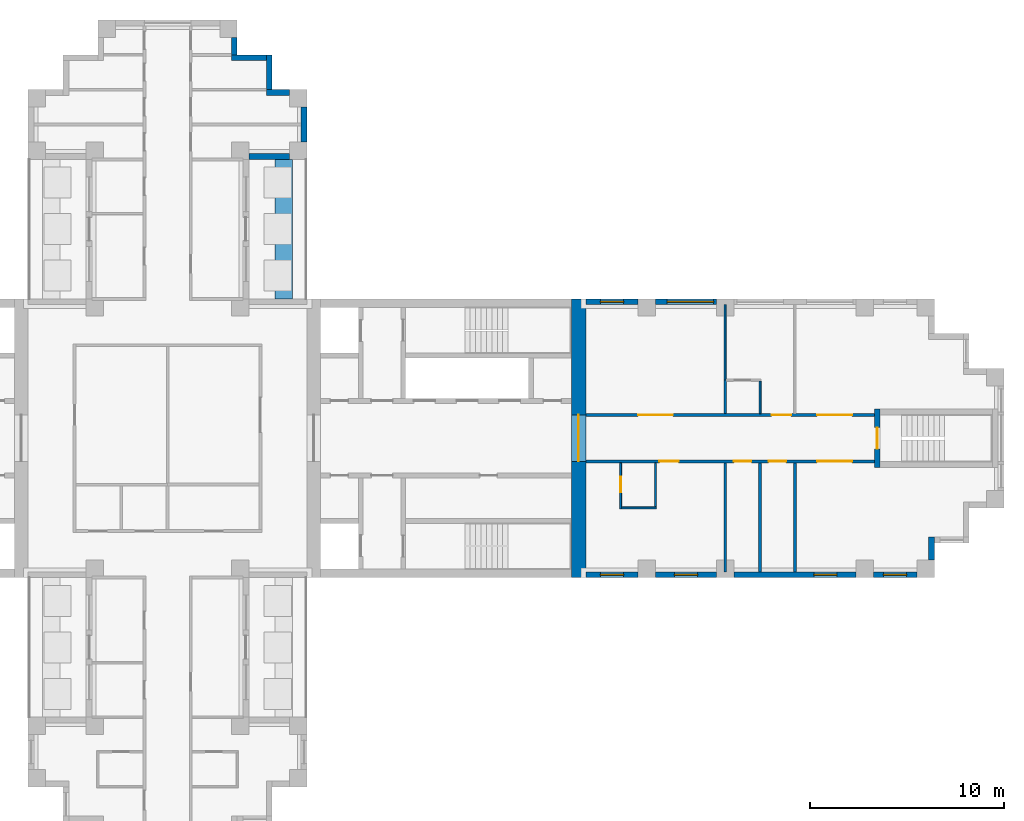
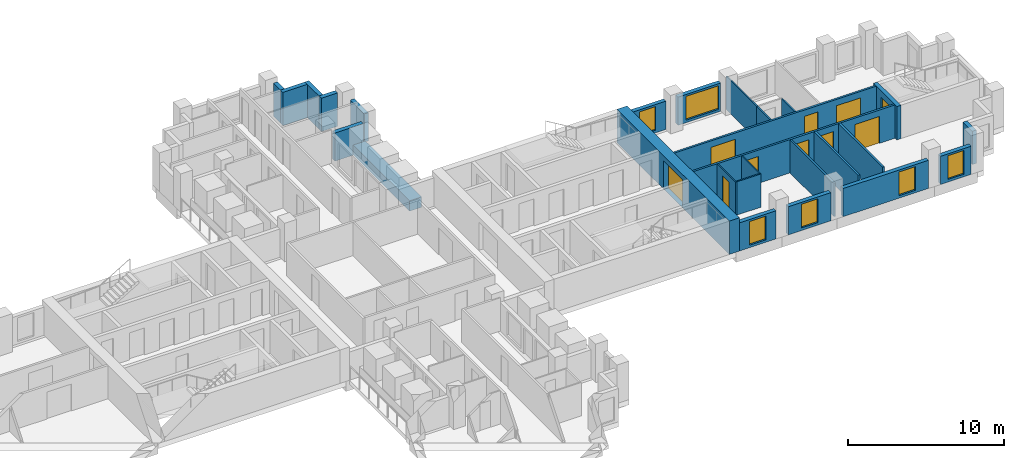
# One storey, part 8 of 12: 27 walls, 10 doors, 6 windows, 16 openings.
"""IFC4 building model written with IfcOpenShell, lengths in metres."""

from ifc_helpers import new_model, si_unit, direction, frame, frame_2d, origin, place, context, subcontext, project, spatial, rectangle, extrude, material, layer, layer_set, type_object, element, fill, save


model = new_model("IFC4")

# Units and contexts
model_context = context("Model", 3, precision=1e-05, world=origin(), true_north=direction((0.0, 1.0)))
body_context = subcontext(model_context, "Body", "Model", "MODEL_VIEW")
ifc_project = project(units=[si_unit("LENGTHUNIT", "METRE"), si_unit("AREAUNIT", "SQUARE_METRE"), si_unit("VOLUMEUNIT", "CUBIC_METRE"), si_unit("PLANEANGLEUNIT", "RADIAN"), si_unit("MASSUNIT", "GRAM", prefix="KILO")], contexts=[model_context])

# Site, building, storey
site_placement = place(None, origin())
site = spatial("IfcSite", under=ifc_project, at=site_placement, CompositionType="ELEMENT")
building_placement = place(site_placement, origin())
building = spatial("IfcBuilding", under=site, at=building_placement, Name="Fustian Cross Tower", CompositionType="ELEMENT")
storey_placement = place(building_placement, frame((0.0, 0.0, 156.300048828125)))
storey = spatial("IfcBuildingStorey", under=building, at=storey_placement, Name="L49", CompositionType="ELEMENT", Elevation=156.300048828125)

# Wall, openings, doors
ifc_material_1 = material(Name="Plasterboard on steel stud", Category="steel")
ifc_layer_1 = layer(ifc_material_1, 0.14990234375)
ifc_layer_set_1 = layer_set([ifc_layer_1], Name="Plasterboard on steel stud")
wall_type_1 = type_object("IfcWallType", Name="COMPARTMENT WALL 150 EI 60", PredefinedType="PARTITIONING", material=ifc_layer_set_1)
wall_1_placement = place(storey_placement, frame((21.60009765625, -1.199951171875, 0.0), z_axis=(0.0, 0.0, 1.0), x_axis=(1.0, 0.0, 0.0)))
wall_1 = element("IfcWall", 1, at=wall_1_placement, inside=storey, type_object=wall_type_1, Name="Partition 45", PredefinedType="PARTITIONING", context=body_context, shape_type="SweptSolid", body=[
    extrude(rectangle(XDim=14.89990234375, YDim=0.14990234375, at=frame_2d((7.449951171875, 0.0))), origin(), (0.0, 0.0, 1.0), 2.599853515625),
])
opening_1_placement = place(wall_1_placement, frame((3.800048828125, 0.0, 0.0)))
opening_1 = element("IfcOpeningElement", 2, at=opening_1_placement, cuts=wall_1, Name="Opening D22011", PredefinedType="OPENING", context=body_context, shape_type="SweptSolid", body=[
    extrude(rectangle(XDim=1.0, YDim=2.10009765625, at=frame_2d((0.5, 1.050048828125))), frame((0.0, 0.0849609375, 0.0), z_axis=(0.0, -1.0, 0.0), x_axis=(1.0, 0.0, 0.0)), (0.0, 0.0, 1.0), 0.169921875),
])
opening_2_placement = place(wall_1_placement, frame((7.64990234375, 0.0, 0.0)))
opening_2 = element("IfcOpeningElement", 3, at=opening_2_placement, cuts=wall_1, Name="Opening D22012", PredefinedType="OPENING", context=body_context, shape_type="SweptSolid", body=[
    extrude(rectangle(XDim=0.89990234375, YDim=2.10009765625, at=frame_2d((0.449951171875, 1.050048828125))), frame((0.0, 0.0849609375, 0.0), z_axis=(0.0, -1.0, 0.0), x_axis=(1.0, 0.0, 0.0)), (0.0, 0.0, 1.0), 0.169921875),
])
opening_3_placement = place(wall_1_placement, frame((9.449951171875, 0.0, 0.0)))
opening_3 = element("IfcOpeningElement", 4, at=opening_3_placement, cuts=wall_1, Name="Opening D22013", PredefinedType="OPENING", context=body_context, shape_type="SweptSolid", body=[
    extrude(rectangle(XDim=0.89990234375, YDim=2.10009765625, at=frame_2d((0.449951171875, 1.050048828125))), frame((0.0, 0.0849609375, 0.0), z_axis=(0.0, -1.0, 0.0), x_axis=(1.0, 0.0, 0.0)), (0.0, 0.0, 1.0), 0.169921875),
])
opening_4_placement = place(wall_1_placement, frame((11.949951171875, 0.0, 0.0)))
opening_4 = element("IfcOpeningElement", 5, at=opening_4_placement, cuts=wall_1, Name="Opening D22014", PredefinedType="OPENING", context=body_context, shape_type="SweptSolid", body=[
    extrude(rectangle(XDim=1.800048828125, YDim=2.10009765625, at=frame_2d((0.89990234375, 1.050048828125))), frame((0.0, 0.0849609375, 0.0), z_axis=(0.0, -1.0, 0.0), x_axis=(1.0, 0.0, 0.0)), (0.0, 0.0, 1.0), 0.169921875),
])
ifc_material_2 = material(Name="Timber fire door set", Category="wood")
door_type_1 = type_object("IfcDoorType", Name="FIRE DOUBLE DOOR 1800 FD30S", OperationType="DOUBLE_DOOR_DOUBLE_SWING", PredefinedType="DOOR", material=ifc_material_2)
door_1_placement = place(opening_4_placement, origin())
door_1 = element("IfcDoor", 6, at=door_1_placement, inside=storey, type_object=door_type_1, Name="Door D22014", OperationType="DOUBLE_DOOR_DOUBLE_SWING", OverallHeight=2.10009765625, OverallWidth=1.800048828125, PredefinedType="DOOR", context=body_context, shape_type="SweptSolid", body=[
    extrude(rectangle(XDim=1.800048828125, YDim=2.10009765625, at=frame_2d((0.89990234375, 1.050048828125))), frame((0.0, 0.02490234375, 0.0), z_axis=(0.0, -1.0, 0.0), x_axis=(1.0, 0.0, 0.0)), (0.0, 0.0, 1.0), 0.050048828125),
])
fill(opening_4, door_1)
ifc_material_3 = material(Name="Timber fire door set", Category="wood")
door_type_2 = type_object("IfcDoorType", Name="FIRE SWING DOOR 1000 FD30S", OperationType="SINGLE_SWING_LEFT", PredefinedType="DOOR", material=ifc_material_3)
door_2_placement = place(opening_1_placement, frame((1.0, 0.0, 0.0), z_axis=(0.0, 0.0, 1.0), x_axis=(-1.0, 0.0, 0.0)))
door_2 = element("IfcDoor", 7, at=door_2_placement, inside=storey, type_object=door_type_2, Name="Door D22011", OperationType="SINGLE_SWING_RIGHT", OverallHeight=2.10009765625, OverallWidth=1.0, PredefinedType="DOOR", context=body_context, shape_type="SweptSolid", body=[
    extrude(rectangle(XDim=1.0, YDim=2.10009765625, at=frame_2d((0.5, 1.050048828125))), frame((0.0, 0.02490234375, 0.0), z_axis=(0.0, -1.0, 0.0), x_axis=(1.0, 0.0, 0.0)), (0.0, 0.0, 1.0), 0.050048828125),
])
fill(opening_1, door_2)
ifc_material_4 = material(Name="Timber fire door set", Category="wood")
door_type_3 = type_object("IfcDoorType", Name="FIRE SWING DOOR 900 FD30S", OperationType="SINGLE_SWING_LEFT", PredefinedType="DOOR", material=ifc_material_4)
door_3_placement = place(opening_2_placement, frame((0.89990234375, 0.0, 0.0), z_axis=(0.0, 0.0, 1.0), x_axis=(-1.0, 0.0, 0.0)))
door_3 = element("IfcDoor", 8, at=door_3_placement, inside=storey, type_object=door_type_3, Name="Door D22012", OperationType="SINGLE_SWING_LEFT", OverallHeight=2.10009765625, OverallWidth=0.89990234375, PredefinedType="DOOR", context=body_context, shape_type="SweptSolid", body=[
    extrude(rectangle(XDim=0.89990234375, YDim=2.10009765625, at=frame_2d((0.449951171875, 1.050048828125))), frame((0.0, 0.02490234375, 0.0), z_axis=(0.0, -1.0, 0.0), x_axis=(1.0, 0.0, 0.0)), (0.0, 0.0, 1.0), 0.050048828125),
])
fill(opening_2, door_3)
door_4_placement = place(opening_3_placement, frame((0.89990234375, 0.0, 0.0), z_axis=(0.0, 0.0, 1.0), x_axis=(-1.0, 0.0, 0.0)))
door_4 = element("IfcDoor", 9, at=door_4_placement, inside=storey, type_object=door_type_3, Name="Door D22013", OperationType="SINGLE_SWING_LEFT", OverallHeight=2.10009765625, OverallWidth=0.89990234375, PredefinedType="DOOR", context=body_context, shape_type="SweptSolid", body=[
    extrude(rectangle(XDim=0.89990234375, YDim=2.10009765625, at=frame_2d((0.449951171875, 1.050048828125))), frame((0.0, 0.02490234375, 0.0), z_axis=(0.0, -1.0, 0.0), x_axis=(1.0, 0.0, 0.0)), (0.0, 0.0, 1.0), 0.050048828125),
])
fill(opening_3, door_4)

wall_2_placement = place(storey_placement, frame((21.60009765625, 1.199951171875, 0.0), z_axis=(0.0, 0.0, 1.0), x_axis=(1.0, 0.0, 0.0)))
wall_2 = element("IfcWall", 10, at=wall_2_placement, inside=storey, type_object=wall_type_1, Name="Partition 46", PredefinedType="PARTITIONING", context=body_context, shape_type="SweptSolid", body=[
    extrude(rectangle(XDim=14.89990234375, YDim=0.14990234375, at=frame_2d((7.449951171875, 0.0))), origin(), (0.0, 0.0, 1.0), 2.599853515625),
])
opening_5_placement = place(wall_2_placement, frame((2.699951171875, 0.0, 0.0)))
opening_5 = element("IfcOpeningElement", 11, at=opening_5_placement, cuts=wall_2, Name="Opening D22006", PredefinedType="OPENING", context=body_context, shape_type="SweptSolid", body=[
    extrude(rectangle(XDim=1.800048828125, YDim=2.10009765625, at=frame_2d((0.89990234375, 1.050048828125))), frame((0.0, 0.0849609375, 0.0), z_axis=(0.0, -1.0, 0.0), x_axis=(1.0, 0.0, 0.0)), (0.0, 0.0, 1.0), 0.169921875),
])
opening_6_placement = place(wall_2_placement, frame((9.60009765625, 0.0, 0.0)))
opening_6 = element("IfcOpeningElement", 12, at=opening_6_placement, cuts=wall_2, Name="Opening D22008", PredefinedType="OPENING", context=body_context, shape_type="SweptSolid", body=[
    extrude(rectangle(XDim=1.0, YDim=2.10009765625, at=frame_2d((0.5, 1.050048828125))), frame((0.0, 0.0849609375, 0.0), z_axis=(0.0, -1.0, 0.0), x_axis=(1.0, 0.0, 0.0)), (0.0, 0.0, 1.0), 0.169921875),
])
opening_7_placement = place(wall_2_placement, frame((11.949951171875, 0.0, 0.0)))
opening_7 = element("IfcOpeningElement", 13, at=opening_7_placement, cuts=wall_2, Name="Opening D22009", PredefinedType="OPENING", context=body_context, shape_type="SweptSolid", body=[
    extrude(rectangle(XDim=1.800048828125, YDim=2.10009765625, at=frame_2d((0.89990234375, 1.050048828125))), frame((0.0, 0.0849609375, 0.0), z_axis=(0.0, -1.0, 0.0), x_axis=(1.0, 0.0, 0.0)), (0.0, 0.0, 1.0), 0.169921875),
])
door_5_placement = place(opening_5_placement, frame((1.800048828125, 0.0, 0.0), z_axis=(0.0, 0.0, 1.0), x_axis=(-1.0, 0.0, 0.0)))
door_5 = element("IfcDoor", 14, at=door_5_placement, inside=storey, type_object=door_type_1, Name="Door D22006", OperationType="DOUBLE_DOOR_DOUBLE_SWING", OverallHeight=2.10009765625, OverallWidth=1.800048828125, PredefinedType="DOOR", context=body_context, shape_type="SweptSolid", body=[
    extrude(rectangle(XDim=1.800048828125, YDim=2.10009765625, at=frame_2d((0.89990234375, 1.050048828125))), frame((0.0, 0.02490234375, 0.0), z_axis=(0.0, -1.0, 0.0), x_axis=(1.0, 0.0, 0.0)), (0.0, 0.0, 1.0), 0.050048828125),
])
fill(opening_5, door_5)
door_6_placement = place(opening_7_placement, frame((1.800048828125, 0.0, 0.0), z_axis=(0.0, 0.0, 1.0), x_axis=(-1.0, 0.0, 0.0)))
door_6 = element("IfcDoor", 15, at=door_6_placement, inside=storey, type_object=door_type_1, Name="Door D22009", OperationType="DOUBLE_DOOR_DOUBLE_SWING", OverallHeight=2.10009765625, OverallWidth=1.800048828125, PredefinedType="DOOR", context=body_context, shape_type="SweptSolid", body=[
    extrude(rectangle(XDim=1.800048828125, YDim=2.10009765625, at=frame_2d((0.89990234375, 1.050048828125))), frame((0.0, 0.02490234375, 0.0), z_axis=(0.0, -1.0, 0.0), x_axis=(1.0, 0.0, 0.0)), (0.0, 0.0, 1.0), 0.050048828125),
])
fill(opening_7, door_6)
door_7_placement = place(opening_6_placement, origin())
door_7 = element("IfcDoor", 16, at=door_7_placement, inside=storey, type_object=door_type_2, Name="Door D22008", OperationType="SINGLE_SWING_RIGHT", OverallHeight=2.10009765625, OverallWidth=1.0, PredefinedType="DOOR", context=body_context, shape_type="SweptSolid", body=[
    extrude(rectangle(XDim=1.0, YDim=2.10009765625, at=frame_2d((0.5, 1.050048828125))), frame((0.0, 0.02490234375, 0.0), z_axis=(0.0, -1.0, 0.0), x_axis=(1.0, 0.0, 0.0)), (0.0, 0.0, 1.0), 0.050048828125),
])
fill(opening_6, door_7)

# Walls
for number, where, z_axis, x_axis, name in (
    (17, (30.60009765625, -6.89990234375, 0.0), (0.0, 0.0, 1.0), (0.0, 1.0, 0.0), "Partition 54"),
    (18, (32.39990234375, -6.89990234375, 0.0), (0.0, 0.0, 1.0), (0.0, 1.0, 0.0), "Partition 56"),
):
    element("IfcWall", number, at=place(storey_placement, frame(where, z_axis=z_axis, x_axis=x_axis)), inside=storey, type_object=wall_type_1, Name=name, PredefinedType="PARTITIONING", context=body_context, shape_type="SweptSolid", body=[
        extrude(rectangle(XDim=5.625, YDim=0.14990234375, at=frame_2d((2.8125, 0.0))), origin(), (0.0, 0.0, 1.0), 2.599853515625),
    ])

# Wall, opening, door
ifc_material_5 = material(Name="Concrete C60/75", Category="concrete")
ifc_layer_2 = layer(ifc_material_5, 0.75)
ifc_layer_set_2 = layer_set([ifc_layer_2], Name="Concrete C60/75")
wall_type_2 = type_object("IfcWallType", Name="CORE END WALL 750 C60/75", PredefinedType="SHEAR", material=ifc_layer_set_2)
wall_3_placement = place(storey_placement, frame((21.22509765625, -7.199951171875, 0.0), z_axis=(0.0, 0.0, 1.0), x_axis=(0.0, 1.0, 0.0)))
wall_3 = element("IfcWall", 19, at=wall_3_placement, inside=storey, type_object=wall_type_2, Name="Core end wall", PredefinedType="SHEAR", context=body_context, shape_type="SweptSolid", body=[
    extrude(rectangle(XDim=14.39990234375, YDim=0.75, at=frame_2d((7.199951171875, 0.0))), origin(), (0.0, 0.0, 1.0), 2.599853515625),
])
opening_8_placement = place(wall_3_placement, frame((6.0, 0.0, 0.0)))
opening_8 = element("IfcOpeningElement", 20, at=opening_8_placement, cuts=wall_3, Name="Opening CD-17-13", PredefinedType="OPENING", context=body_context, shape_type="SweptSolid", body=[
    extrude(rectangle(XDim=2.39990234375, YDim=2.199951171875, at=frame_2d((1.199951171875, 1.10009765625))), frame((0.0, 0.385009765625, 0.0), z_axis=(0.0, -1.0, 0.0), x_axis=(1.0, 0.0, 0.0)), (0.0, 0.0, 1.0), 0.77001953125),
])
ifc_material_6 = material(Name="Steel", Category="steel")
door_type_4 = type_object("IfcDoorType", Name="FIRE DOOR FD30S DOUBLE 2400X2200", OperationType="DOUBLE_DOOR_DOUBLE_SWING", PredefinedType="DOOR", material=ifc_material_6)
door_8_placement = place(opening_8_placement, origin())
door_8 = element("IfcDoor", 21, at=door_8_placement, inside=storey, type_object=door_type_4, Name="Core door CD-17-13", OperationType="DOUBLE_DOOR_DOUBLE_SWING", OverallHeight=2.199951171875, OverallWidth=2.39990234375, PredefinedType="DOOR", context=body_context, shape_type="SweptSolid", body=[
    extrude(rectangle(XDim=2.39990234375, YDim=2.199951171875, at=frame_2d((1.199951171875, 1.10009765625))), frame((0.0, 0.02490234375, 0.0), z_axis=(0.0, -1.0, 0.0), x_axis=(1.0, 0.0, 0.0)), (0.0, 0.0, 1.0), 0.050048828125),
])
fill(opening_8, door_8)

ifc_material_7 = material(Name="Plasterboard on steel stud", Category="steel")
ifc_layer_3 = layer(ifc_material_7, 0.10009765625)
ifc_layer_set_3 = layer_set([ifc_layer_3], Name="Plasterboard on steel stud")
wall_type_3 = type_object("IfcWallType", Name="PARTITION 100 STUD", PredefinedType="PARTITIONING", material=ifc_layer_set_3)
wall_4_placement = place(storey_placement, frame((23.39990234375, -3.64990234375, 0.0), z_axis=(0.0, 0.0, 1.0), x_axis=(0.0, 1.0, 0.0)))
wall_4 = element("IfcWall", 22, at=wall_4_placement, inside=storey, type_object=wall_type_3, Name="Partition 47", PredefinedType="PARTITIONING", context=body_context, shape_type="SweptSolid", body=[
    extrude(rectangle(XDim=2.375, YDim=0.10009765625, at=frame_2d((1.1875, 0.0))), origin(), (0.0, 0.0, 1.0), 2.599853515625),
])
opening_9_placement = place(wall_4_placement, frame((0.85009765625, 0.0, 0.0)))
opening_9 = element("IfcOpeningElement", 23, at=opening_9_placement, cuts=wall_4, Name="Opening D22010", PredefinedType="OPENING", context=body_context, shape_type="SweptSolid", body=[
    extrude(rectangle(XDim=0.800048828125, YDim=2.10009765625, at=frame_2d((0.39990234375, 1.050048828125))), frame((0.0, 0.06005859375, 0.0), z_axis=(0.0, -1.0, 0.0), x_axis=(1.0, 0.0, 0.0)), (0.0, 0.0, 1.0), 0.1201171875),
])
ifc_material_8 = material(Name="Painted timber", Category="wood")
door_type_5 = type_object("IfcDoorType", Name="SWING DOOR 800", OperationType="SINGLE_SWING_LEFT", PredefinedType="DOOR", material=ifc_material_8)
door_9_placement = place(opening_9_placement, frame((0.800048828125, 0.0, 0.0), z_axis=(0.0, 0.0, 1.0), x_axis=(-1.0, 0.0, 0.0)))
door_9 = element("IfcDoor", 24, at=door_9_placement, inside=storey, type_object=door_type_5, Name="Door D22010", OperationType="SINGLE_SWING_RIGHT", OverallHeight=2.10009765625, OverallWidth=0.800048828125, PredefinedType="DOOR", context=body_context, shape_type="SweptSolid", body=[
    extrude(rectangle(XDim=0.800048828125, YDim=2.10009765625, at=frame_2d((0.39990234375, 1.050048828125))), frame((0.0, 0.02490234375, 0.0), z_axis=(0.0, -1.0, 0.0), x_axis=(1.0, 0.0, 0.0)), (0.0, 0.0, 1.0), 0.050048828125),
])
fill(opening_9, door_9)

# Walls
wall_5_placement = place(storey_placement, frame((23.449951171875, -3.60009765625, 0.0), z_axis=(0.0, 0.0, 1.0), x_axis=(1.0, 0.0, 0.0)))
element("IfcWall", 25, at=wall_5_placement, inside=storey, type_object=wall_type_3, Name="Partition 48", PredefinedType="PARTITIONING", context=body_context, shape_type="SweptSolid", body=[
    extrude(rectangle(XDim=1.800048828125, YDim=0.10009765625, at=frame_2d((0.89990234375, 0.0))), origin(), (0.0, 0.0, 1.0), 2.599853515625),
])
wall_6_placement = place(storey_placement, frame((25.199951171875, -3.550048828125, 0.0), z_axis=(0.0, 0.0, 1.0), x_axis=(0.0, 1.0, 0.0)))
element("IfcWall", 26, at=wall_6_placement, inside=storey, type_object=wall_type_3, Name="Partition 49", PredefinedType="PARTITIONING", context=body_context, shape_type="SweptSolid", body=[
    extrude(rectangle(XDim=2.275146484375, YDim=0.10009765625, at=frame_2d((1.1376953125, 0.0))), origin(), (0.0, 0.0, 1.0), 2.599853515625),
])
wall_7_placement = place(storey_placement, frame((28.800048828125, 3.0, 0.0), z_axis=(0.0, 0.0, 1.0), x_axis=(0.0, 1.0, 0.0)))
element("IfcWall", 27, at=wall_7_placement, inside=storey, type_object=wall_type_3, Name="Partition 52", PredefinedType="PARTITIONING", context=body_context, shape_type="SweptSolid", body=[
    extrude(rectangle(XDim=3.89990234375, YDim=0.10009765625, at=frame_2d((1.949951171875, 0.0))), origin(), (0.0, 0.0, 1.0), 2.599853515625),
])
wall_8_placement = place(storey_placement, frame((30.60009765625, 1.27490234375, 0.0), z_axis=(0.0, 0.0, 1.0), x_axis=(0.0, 1.0, 0.0)))
element("IfcWall", 28, at=wall_8_placement, inside=storey, type_object=wall_type_3, Name="Partition 55", PredefinedType="PARTITIONING", context=body_context, shape_type="SweptSolid", body=[
    extrude(rectangle(XDim=1.675048828125, YDim=0.10009765625, at=frame_2d((0.83740234375, 0.0))), origin(), (0.0, 0.0, 1.0), 2.599853515625),
])
ifc_material_9 = material(Name="Concrete C40/50", Category="concrete")
ifc_layer_4 = layer(ifc_material_9, 0.89990234375)
ifc_layer_set_4 = layer_set([ifc_layer_4], Name="Concrete C40/50")
wall_type_4 = type_object("IfcWallType", Name="PK1 PLANTER 900", PredefinedType="PARAPET", material=ifc_layer_set_4)
wall_9_placement = place(storey_placement, frame((6.0, 7.199951171875, 0.0), z_axis=(0.0, 0.0, 1.0), x_axis=(0.0, 1.0, 0.0)))
element("IfcWall", 29, at=wall_9_placement, inside=storey, type_object=wall_type_4, Name="PLANTER", PredefinedType="PARAPET", context=body_context, shape_type="SweptSolid", body=[
    extrude(rectangle(XDim=7.199951171875, YDim=0.89990234375, at=frame_2d((3.60009765625, 0.0))), origin(), (0.0, 0.0, 1.0), 0.800048828125),
])

# Wall, opening, door
ifc_material_10 = material(Name="Concrete C50/60", Category="concrete")
ifc_layer_5 = layer(ifc_material_10, 0.300048828125)
ifc_layer_set_5 = layer_set([ifc_layer_5], Name="Concrete C50/60")
wall_type_5 = type_object("IfcWallType", Name="STAIR ENCLOSURE WALL 300 C50/60", PredefinedType="SHEAR", material=ifc_layer_set_5)
wall_10_placement = place(storey_placement, frame((36.64990234375, -1.5, 0.0), z_axis=(0.0, 0.0, 1.0), x_axis=(0.0, 1.0, 0.0)))
wall_10 = element("IfcWall", 30, at=wall_10_placement, inside=storey, type_object=wall_type_5, Name="Stair enclosure wall", PredefinedType="SHEAR", context=body_context, shape_type="SweptSolid", body=[
    extrude(rectangle(XDim=3.0, YDim=0.300048828125, at=frame_2d((1.5, 0.0))), origin(), (0.0, 0.0, 1.0), 2.599853515625),
])
opening_10_placement = place(wall_10_placement, frame((0.949951171875, 0.0, 0.0)))
opening_10 = element("IfcOpeningElement", 31, at=opening_10_placement, cuts=wall_10, Name="Opening CD-17-31", PredefinedType="OPENING", context=body_context, shape_type="SweptSolid", body=[
    extrude(rectangle(XDim=1.10009765625, YDim=2.10009765625, at=frame_2d((0.550048828125, 1.050048828125))), frame((0.0, 0.159912109375, 0.0), z_axis=(0.0, -1.0, 0.0), x_axis=(1.0, 0.0, 0.0)), (0.0, 0.0, 1.0), 0.320068359375),
])
ifc_material_11 = material(Name="Steel", Category="steel")
door_type_6 = type_object("IfcDoorType", Name="FIRE DOOR FD60S 1100X2100", OperationType="SINGLE_SWING_LEFT", PredefinedType="DOOR", material=ifc_material_11)
door_10_placement = place(opening_10_placement, frame((1.10009765625, 0.0, 0.0), z_axis=(0.0, 0.0, 1.0), x_axis=(-1.0, 0.0, 0.0)))
door_10 = element("IfcDoor", 32, at=door_10_placement, inside=storey, type_object=door_type_6, Name="Core door CD-17-31", OperationType="SINGLE_SWING_RIGHT", OverallHeight=2.10009765625, OverallWidth=1.10009765625, PredefinedType="DOOR", context=body_context, shape_type="SweptSolid", body=[
    extrude(rectangle(XDim=1.10009765625, YDim=2.10009765625, at=frame_2d((0.550048828125, 1.050048828125))), frame((0.0, 0.02490234375, 0.0), z_axis=(0.0, -1.0, 0.0), x_axis=(1.0, 0.0, 0.0)), (0.0, 0.0, 1.0), 0.050048828125),
])
fill(opening_10, door_10)

# Walls
ifc_material_12 = material(Name="Plasterboard on steel stud", Category="steel")
ifc_layer_6 = layer(ifc_material_12, 0.125)
ifc_layer_set_6 = layer_set([ifc_layer_6], Name="Plasterboard on steel stud")
wall_type_6 = type_object("IfcWallType", Name="WET WALL 125 STUD", PredefinedType="PARTITIONING", material=ifc_layer_set_6)
wall_11_placement = place(storey_placement, frame((28.800048828125, -6.89990234375, 0.0), z_axis=(0.0, 0.0, 1.0), x_axis=(0.0, 1.0, 0.0)))
element("IfcWall", 33, at=wall_11_placement, inside=storey, type_object=wall_type_6, Name="Partition 50", PredefinedType="PARTITIONING", context=body_context, shape_type="SweptSolid", body=[
    extrude(rectangle(XDim=5.625, YDim=0.125, at=frame_2d((2.8125, 0.0))), origin(), (0.0, 0.0, 1.0), 2.599853515625),
])
wall_12_placement = place(storey_placement, frame((28.800048828125, 1.27490234375, 0.0), z_axis=(0.0, 0.0, 1.0), x_axis=(0.0, 1.0, 0.0)))
element("IfcWall", 34, at=wall_12_placement, inside=storey, type_object=wall_type_6, Name="Partition 51", PredefinedType="PARTITIONING", context=body_context, shape_type="SweptSolid", body=[
    extrude(rectangle(XDim=1.72509765625, YDim=0.125, at=frame_2d((0.862548828125, 0.0))), origin(), (0.0, 0.0, 1.0), 2.599853515625),
])

# Wall, opening, window
ifc_material_13 = material(Name="Dark aluminium cladding on insulated backing wall", Category="aluminium")
ifc_layer_7 = layer(ifc_material_13, 0.300048828125)
ifc_layer_set_7 = layer_set([ifc_layer_7], Name="Dark aluminium cladding on insulated backing wall")
wall_type_7 = type_object("IfcWallType", Name="XW1 EXTERNAL WALL 300", PredefinedType="SOLIDWALL", material=ifc_layer_set_7)
wall_13_placement = place(storey_placement, frame((21.60009765625, -7.050048828125, 0.0), z_axis=(0.0, 0.0, 1.0), x_axis=(1.0, 0.0, 0.0)))
wall_13 = element("IfcWall", 35, at=wall_13_placement, inside=storey, type_object=wall_type_7, Name="External wall", PredefinedType="SOLIDWALL", context=body_context, shape_type="SweptSolid", body=[
    extrude(rectangle(XDim=2.699951171875, YDim=0.300048828125, at=frame_2d((1.35009765625, 0.0))), origin(), (0.0, 0.0, 1.0), 2.199951171875),
])
opening_11_placement = place(wall_13_placement, frame((0.75, 0.0, 0.199951171875)))
opening_11 = element("IfcOpeningElement", 36, at=opening_11_placement, cuts=wall_13, Name="Opening WN3", PredefinedType="OPENING", context=body_context, shape_type="SweptSolid", body=[
    extrude(rectangle(XDim=1.199951171875, YDim=1.85009765625, at=frame_2d((0.60009765625, 0.925048828125))), frame((0.0, 0.159912109375, 0.0), z_axis=(0.0, -1.0, 0.0), x_axis=(1.0, 0.0, 0.0)), (0.0, 0.0, 1.0), 0.320068359375),
])
ifc_material_14 = material(Name="Dark anodised aluminium and double glazing", Category="aluminium")
window_type_1 = type_object("IfcWindowType", Name="WN3 WINDOW 1200X1850", PartitioningType="SINGLE_PANEL", PredefinedType="WINDOW", material=ifc_material_14)
window_1_placement = place(opening_11_placement, origin())
window_1 = element("IfcWindow", 37, at=window_1_placement, inside=storey, type_object=window_type_1, Name="Window", OverallHeight=1.85009765625, OverallWidth=1.199951171875, PartitioningType="SINGLE_PANEL", PredefinedType="WINDOW", context=body_context, shape_type="SweptSolid", body=[
    extrude(rectangle(XDim=1.199951171875, YDim=1.85009765625, at=frame_2d((0.60009765625, 0.925048828125))), frame((0.0, 0.030029296875, 0.0), z_axis=(0.0, -1.0, 0.0), x_axis=(1.0, 0.0, 0.0)), (0.0, 0.0, 1.0), 0.06005859375),
])
fill(opening_11, window_1)

wall_14_placement = place(storey_placement, frame((25.199951171875, -7.050048828125, 0.0), z_axis=(0.0, 0.0, 1.0), x_axis=(1.0, 0.0, 0.0)))
wall_14 = element("IfcWall", 38, at=wall_14_placement, inside=storey, type_object=wall_type_7, Name="External wall", PredefinedType="SOLIDWALL", context=body_context, shape_type="SweptSolid", body=[
    extrude(rectangle(XDim=3.150146484375, YDim=0.300048828125, at=frame_2d((1.5751953125, 0.0))), origin(), (0.0, 0.0, 1.0), 2.199951171875),
])
opening_12_placement = place(wall_14_placement, frame((0.97509765625, 0.0, 0.199951171875)))
opening_12 = element("IfcOpeningElement", 39, at=opening_12_placement, cuts=wall_14, Name="Opening WN3", PredefinedType="OPENING", context=body_context, shape_type="SweptSolid", body=[
    extrude(rectangle(XDim=1.199951171875, YDim=1.85009765625, at=frame_2d((0.60009765625, 0.925048828125))), frame((0.0, 0.159912109375, 0.0), z_axis=(0.0, -1.0, 0.0), x_axis=(1.0, 0.0, 0.0)), (0.0, 0.0, 1.0), 0.320068359375),
])
window_2_placement = place(opening_12_placement, origin())
window_2 = element("IfcWindow", 40, at=window_2_placement, inside=storey, type_object=window_type_1, Name="Window", OverallHeight=1.85009765625, OverallWidth=1.199951171875, PartitioningType="SINGLE_PANEL", PredefinedType="WINDOW", context=body_context, shape_type="SweptSolid", body=[
    extrude(rectangle(XDim=1.199951171875, YDim=1.85009765625, at=frame_2d((0.60009765625, 0.925048828125))), frame((0.0, 0.030029296875, 0.0), z_axis=(0.0, -1.0, 0.0), x_axis=(1.0, 0.0, 0.0)), (0.0, 0.0, 1.0), 0.06005859375),
])
fill(opening_12, window_2)

wall_15_placement = place(storey_placement, frame((29.25, -7.050048828125, 0.0), z_axis=(0.0, 0.0, 1.0), x_axis=(1.0, 0.0, 0.0)))
wall_15 = element("IfcWall", 41, at=wall_15_placement, inside=storey, type_object=wall_type_7, Name="External wall", PredefinedType="SOLIDWALL", context=body_context, shape_type="SweptSolid", body=[
    extrude(rectangle(XDim=6.300048828125, YDim=0.300048828125, at=frame_2d((3.14990234375, 0.0))), origin(), (0.0, 0.0, 1.0), 2.199951171875),
])
opening_13_placement = place(wall_15_placement, frame((4.125, 0.0, 0.199951171875)))
opening_13 = element("IfcOpeningElement", 42, at=opening_13_placement, cuts=wall_15, Name="Opening WN3", PredefinedType="OPENING", context=body_context, shape_type="SweptSolid", body=[
    extrude(rectangle(XDim=1.199951171875, YDim=1.85009765625, at=frame_2d((0.60009765625, 0.925048828125))), frame((0.0, 0.159912109375, 0.0), z_axis=(0.0, -1.0, 0.0), x_axis=(1.0, 0.0, 0.0)), (0.0, 0.0, 1.0), 0.320068359375),
])
window_3_placement = place(opening_13_placement, origin())
window_3 = element("IfcWindow", 43, at=window_3_placement, inside=storey, type_object=window_type_1, Name="Window", OverallHeight=1.85009765625, OverallWidth=1.199951171875, PartitioningType="SINGLE_PANEL", PredefinedType="WINDOW", context=body_context, shape_type="SweptSolid", body=[
    extrude(rectangle(XDim=1.199951171875, YDim=1.85009765625, at=frame_2d((0.60009765625, 0.925048828125))), frame((0.0, 0.030029296875, 0.0), z_axis=(0.0, -1.0, 0.0), x_axis=(1.0, 0.0, 0.0)), (0.0, 0.0, 1.0), 0.06005859375),
])
fill(opening_13, window_3)

wall_16_placement = place(storey_placement, frame((36.449951171875, -7.050048828125, 0.0), z_axis=(0.0, 0.0, 1.0), x_axis=(1.0, 0.0, 0.0)))
wall_16 = element("IfcWall", 44, at=wall_16_placement, inside=storey, type_object=wall_type_7, Name="External wall", PredefinedType="SOLIDWALL", context=body_context, shape_type="SweptSolid", body=[
    extrude(rectangle(XDim=2.25, YDim=0.300048828125, at=frame_2d((1.125, 0.0))), origin(), (0.0, 0.0, 1.0), 2.199951171875),
])
opening_14_placement = place(wall_16_placement, frame((0.52490234375, 0.0, 0.199951171875)))
opening_14 = element("IfcOpeningElement", 45, at=opening_14_placement, cuts=wall_16, Name="Opening WN3", PredefinedType="OPENING", context=body_context, shape_type="SweptSolid", body=[
    extrude(rectangle(XDim=1.199951171875, YDim=1.85009765625, at=frame_2d((0.60009765625, 0.925048828125))), frame((0.0, 0.159912109375, 0.0), z_axis=(0.0, -1.0, 0.0), x_axis=(1.0, 0.0, 0.0)), (0.0, 0.0, 1.0), 0.320068359375),
])
window_4_placement = place(opening_14_placement, origin())
window_4 = element("IfcWindow", 46, at=window_4_placement, inside=storey, type_object=window_type_1, Name="Window", OverallHeight=1.85009765625, OverallWidth=1.199951171875, PartitioningType="SINGLE_PANEL", PredefinedType="WINDOW", context=body_context, shape_type="SweptSolid", body=[
    extrude(rectangle(XDim=1.199951171875, YDim=1.85009765625, at=frame_2d((0.60009765625, 0.925048828125))), frame((0.0, 0.030029296875, 0.0), z_axis=(0.0, -1.0, 0.0), x_axis=(1.0, 0.0, 0.0)), (0.0, 0.0, 1.0), 0.06005859375),
])
fill(opening_14, window_4)

# Wall
wall_17_placement = place(storey_placement, frame((39.449951171875, -6.300048828125, 0.0), z_axis=(0.0, 0.0, 1.0), x_axis=(0.0, 1.0, 0.0)))
element("IfcWall", 47, at=wall_17_placement, inside=storey, type_object=wall_type_7, Name="External wall", PredefinedType="SOLIDWALL", context=body_context, shape_type="SweptSolid", body=[
    extrude(rectangle(XDim=1.199951171875, YDim=0.300048828125, at=frame_2d((0.60009765625, 0.0))), origin(), (0.0, 0.0, 1.0), 2.599853515625),
])

# Wall, opening, window
wall_18_placement = place(storey_placement, frame((28.35009765625, 7.050048828125, 0.0), z_axis=(0.0, 0.0, 1.0), x_axis=(-1.0, 0.0, 0.0)))
wall_18 = element("IfcWall", 48, at=wall_18_placement, inside=storey, type_object=wall_type_7, Name="External wall", PredefinedType="SOLIDWALL", context=body_context, shape_type="SweptSolid", body=[
    extrude(rectangle(XDim=3.150146484375, YDim=0.300048828125, at=frame_2d((1.5751953125, 0.0))), origin(), (0.0, 0.0, 1.0), 2.199951171875),
])
opening_15_placement = place(wall_18_placement, frame((0.14990234375, 0.0, 0.199951171875)))
opening_15 = element("IfcOpeningElement", 49, at=opening_15_placement, cuts=wall_18, Name="Opening WN1", PredefinedType="OPENING", context=body_context, shape_type="SweptSolid", body=[
    extrude(rectangle(XDim=2.39990234375, YDim=1.85009765625, at=frame_2d((1.199951171875, 0.925048828125))), frame((0.0, 0.159912109375, 0.0), z_axis=(0.0, -1.0, 0.0), x_axis=(1.0, 0.0, 0.0)), (0.0, 0.0, 1.0), 0.320068359375),
])
ifc_material_15 = material(Name="Dark anodised aluminium and double glazing", Category="aluminium")
window_type_2 = type_object("IfcWindowType", Name="WN1 WINDOW 2400X1850", PartitioningType="SINGLE_PANEL", PredefinedType="WINDOW", material=ifc_material_15)
window_5_placement = place(opening_15_placement, origin())
window_5 = element("IfcWindow", 50, at=window_5_placement, inside=storey, type_object=window_type_2, Name="Window", OverallHeight=1.85009765625, OverallWidth=2.39990234375, PartitioningType="SINGLE_PANEL", PredefinedType="WINDOW", context=body_context, shape_type="SweptSolid", body=[
    extrude(rectangle(XDim=2.39990234375, YDim=1.85009765625, at=frame_2d((1.199951171875, 0.925048828125))), frame((0.0, 0.030029296875, 0.0), z_axis=(0.0, -1.0, 0.0), x_axis=(1.0, 0.0, 0.0)), (0.0, 0.0, 1.0), 0.06005859375),
])
fill(opening_15, window_5)

wall_19_placement = place(storey_placement, frame((24.300048828125, 7.050048828125, 0.0), z_axis=(0.0, 0.0, 1.0), x_axis=(-1.0, 0.0, 0.0)))
wall_19 = element("IfcWall", 51, at=wall_19_placement, inside=storey, type_object=wall_type_7, Name="External wall", PredefinedType="SOLIDWALL", context=body_context, shape_type="SweptSolid", body=[
    extrude(rectangle(XDim=2.699951171875, YDim=0.300048828125, at=frame_2d((1.35009765625, 0.0))), origin(), (0.0, 0.0, 1.0), 2.199951171875),
])
opening_16_placement = place(wall_19_placement, frame((0.75, 0.0, 0.199951171875)))
opening_16 = element("IfcOpeningElement", 52, at=opening_16_placement, cuts=wall_19, Name="Opening WN3", PredefinedType="OPENING", context=body_context, shape_type="SweptSolid", body=[
    extrude(rectangle(XDim=1.199951171875, YDim=1.85009765625, at=frame_2d((0.60009765625, 0.925048828125))), frame((0.0, 0.159912109375, 0.0), z_axis=(0.0, -1.0, 0.0), x_axis=(1.0, 0.0, 0.0)), (0.0, 0.0, 1.0), 0.320068359375),
])
window_6_placement = place(opening_16_placement, origin())
window_6 = element("IfcWindow", 53, at=window_6_placement, inside=storey, type_object=window_type_1, Name="Window", OverallHeight=1.85009765625, OverallWidth=1.199951171875, PartitioningType="SINGLE_PANEL", PredefinedType="WINDOW", context=body_context, shape_type="SweptSolid", body=[
    extrude(rectangle(XDim=1.199951171875, YDim=1.85009765625, at=frame_2d((0.60009765625, 0.925048828125))), frame((0.0, 0.030029296875, 0.0), z_axis=(0.0, -1.0, 0.0), x_axis=(1.0, 0.0, 0.0)), (0.0, 0.0, 1.0), 0.06005859375),
])
fill(opening_16, window_6)

# Walls
wall_20_placement = place(storey_placement, frame((4.199951171875, 14.550048828125, 0.0), z_axis=(0.0, 0.0, 1.0), x_axis=(1.0, 0.0, 0.0)))
element("IfcWall", 54, at=wall_20_placement, inside=storey, type_object=wall_type_7, Name="External wall", PredefinedType="SOLIDWALL", context=body_context, shape_type="SweptSolid", body=[
    extrude(rectangle(XDim=2.10009765625, YDim=0.300048828125, at=frame_2d((1.050048828125, 0.0))), origin(), (0.0, 0.0, 1.0), 2.199951171875),
])
wall_21_placement = place(storey_placement, frame((7.050048828125, 15.300048828125, 0.0), z_axis=(0.0, 0.0, 1.0), x_axis=(0.0, 1.0, 0.0)))
element("IfcWall", 55, at=wall_21_placement, inside=storey, type_object=wall_type_7, Name="External wall", PredefinedType="SOLIDWALL", context=body_context, shape_type="SweptSolid", body=[
    extrude(rectangle(XDim=1.800048828125, YDim=0.300048828125, at=frame_2d((0.89990234375, 0.0))), origin(), (0.0, 0.0, 1.0), 2.199951171875),
])
wall_22_placement = place(storey_placement, frame((6.300048828125, 17.85009765625, 0.0), z_axis=(0.0, 0.0, 1.0), x_axis=(-1.0, 0.0, 0.0)))
element("IfcWall", 56, at=wall_22_placement, inside=storey, type_object=wall_type_7, Name="External wall", PredefinedType="SOLIDWALL", context=body_context, shape_type="SweptSolid", body=[
    extrude(rectangle(XDim=1.199951171875, YDim=0.300048828125, at=frame_2d((0.60009765625, 0.0))), origin(), (0.0, 0.0, 1.0), 2.599853515625),
])
for number, where, z_axis, x_axis, name in (
    (57, (5.25, 18.0, 0.0), (0.0, 0.0, 1.0), (0.0, 1.0, 0.0), "External wall"),
    (58, (5.10009765625, 19.64990234375, 0.0), (0.0, 0.0, 1.0), (-1.0, 0.0, 0.0), "External wall"),
):
    element("IfcWall", number, at=place(storey_placement, frame(where, z_axis=z_axis, x_axis=x_axis)), inside=storey, type_object=wall_type_7, Name=name, PredefinedType="SOLIDWALL", context=body_context, shape_type="SweptSolid", body=[
        extrude(rectangle(XDim=1.800048828125, YDim=0.300048828125, at=frame_2d((0.89990234375, 0.0))), origin(), (0.0, 0.0, 1.0), 2.599853515625),
    ])
wall_23_placement = place(storey_placement, frame((3.449951171875, 19.800048828125, 0.0), z_axis=(0.0, 0.0, 1.0), x_axis=(0.0, 1.0, 0.0)))
element("IfcWall", 59, at=wall_23_placement, inside=storey, type_object=wall_type_7, Name="External wall", PredefinedType="SOLIDWALL", context=body_context, shape_type="SweptSolid", body=[
    extrude(rectangle(XDim=0.89990234375, YDim=0.300048828125, at=frame_2d((0.449951171875, 0.0))), origin(), (0.0, 0.0, 1.0), 2.599853515625),
])

save(model, "model.ifc")
